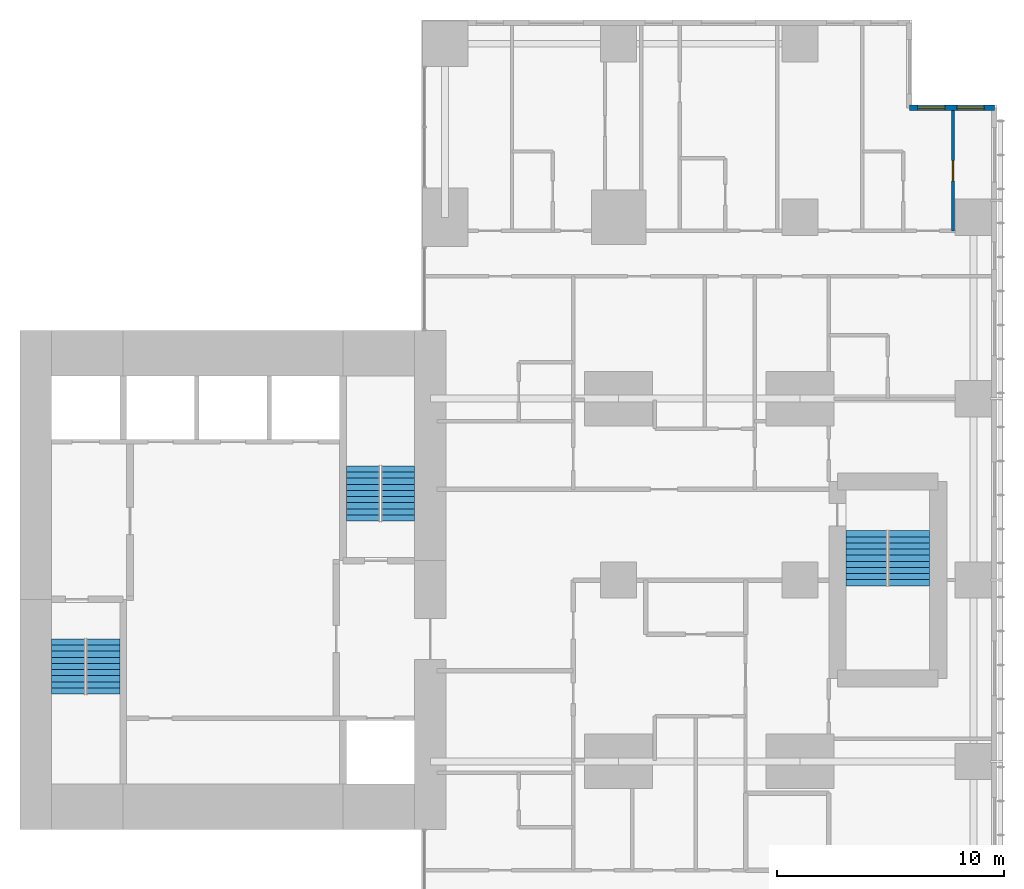
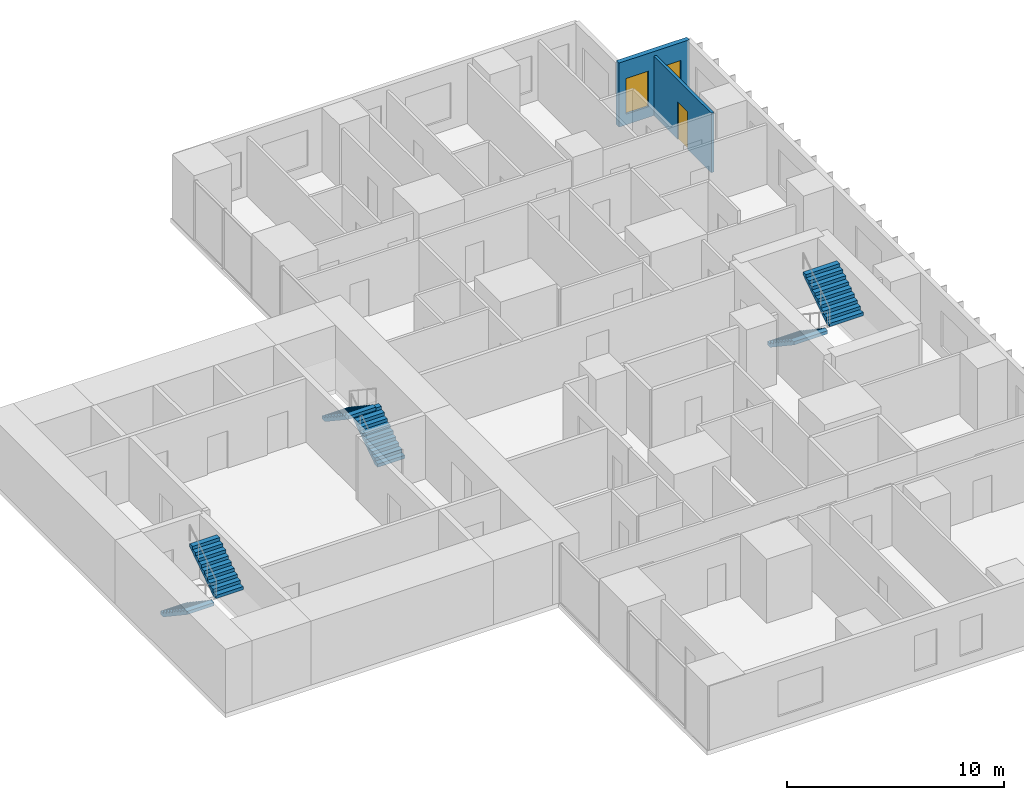
# One storey, part 11 of 12: 6 stair flights, 2 walls, 2 windows, 1 door, 3 openings, 3 elements without a shape of their own.
"""IFC4 building model written with IfcOpenShell, lengths in metres."""

from ifc_helpers import new_model, si_unit, direction, frame, frame_2d, origin, place, context, subcontext, project, spatial, polyline, rectangle, outline, extrude, material, layer, layer_set, type_object, element, fill, aggregate, save


model = new_model("IFC4")

# Units and contexts
model_context = context("Model", 3, precision=1e-05, world=origin(), true_north=direction((0.0, 1.0)))
body_context = subcontext(model_context, "Body", "Model", "MODEL_VIEW")
ifc_project = project(units=[si_unit("LENGTHUNIT", "METRE"), si_unit("AREAUNIT", "SQUARE_METRE"), si_unit("VOLUMEUNIT", "CUBIC_METRE"), si_unit("PLANEANGLEUNIT", "RADIAN"), si_unit("MASSUNIT", "GRAM", prefix="KILO")], contexts=[model_context])

# Site, building, storey
site_placement = place(None, origin())
site = spatial("IfcSite", under=ifc_project, at=site_placement, CompositionType="ELEMENT")
building_placement = place(site_placement, origin())
building = spatial("IfcBuilding", under=site, at=building_placement, Name="Cleftline Residences", CompositionType="ELEMENT")
storey_placement = place(building_placement, frame((0.0, 0.0, 255.60009765625)))
storey = spatial("IfcBuildingStorey", under=building, at=storey_placement, Name="L67", CompositionType="ELEMENT", Elevation=255.60009765625)

# Wall, openings, windows
ifc_material_1 = material(Name="Rendered reinforced concrete blockwork", Category="masonry")
ifc_layer_1 = layer(ifc_material_1, 0.25)
ifc_layer_set_1 = layer_set([ifc_layer_1], Name="EXTERNAL WALL 250")
wall_type_1 = type_object("IfcWallType", Name="EXTERNAL WALL 250", PredefinedType="SOLIDWALL", material=ifc_layer_set_1)
wall_1_placement = place(storey_placement, frame((66.574951171875, 44.824951171875, 0.0), z_axis=(0.0, 0.0, 1.0), x_axis=(-1.0, 0.0, 0.0)))
wall_1 = element("IfcWall", 1, at=wall_1_placement, inside=storey, type_object=wall_type_1, Name="External wall", PredefinedType="SOLIDWALL", context=body_context, shape_type="SweptSolid", body=[
    extrude(rectangle(XDim=3.75, YDim=0.25, at=frame_2d((1.875, 0.0))), origin(), (0.0, 0.0, 1.0), 3.599853515625),
])
opening_1_placement = place(wall_1_placement, frame((0.449951171875, 0.0, 0.60009765625)))
opening_1 = element("IfcOpeningElement", 2, at=opening_1_placement, cuts=wall_1, Name="Opening W8", PredefinedType="OPENING", context=body_context, shape_type="SweptSolid", body=[
    extrude(rectangle(XDim=1.199951171875, YDim=2.0, at=frame_2d((0.60009765625, 1.0))), frame((0.0, 0.135009765625, 0.0), z_axis=(0.0, -1.0, 0.0), x_axis=(1.0, 0.0, 0.0)), (0.0, 0.0, 1.0), 0.27001953125),
])
opening_2_placement = place(wall_1_placement, frame((2.1875, 0.0, 0.60009765625)))
opening_2 = element("IfcOpeningElement", 3, at=opening_2_placement, cuts=wall_1, Name="Opening W8", PredefinedType="OPENING", context=body_context, shape_type="SweptSolid", body=[
    extrude(rectangle(XDim=1.199951171875, YDim=2.0, at=frame_2d((0.60009765625, 1.0))), frame((0.0, 0.135009765625, 0.0), z_axis=(0.0, -1.0, 0.0), x_axis=(1.0, 0.0, 0.0)), (0.0, 0.0, 1.0), 0.27001953125),
])
ifc_material_2 = material(Name="Aluminium frame, clear double glazing", Category="aluminium")
window_type = type_object("IfcWindowType", Name="WINDOW 1200X2000", PartitioningType="DOUBLE_PANEL_VERTICAL", PredefinedType="WINDOW", material=ifc_material_2)
window_1_placement = place(opening_1_placement, origin())
window_1 = element("IfcWindow", 4, at=window_1_placement, inside=storey, type_object=window_type, Name="Window", OverallHeight=2.0, OverallWidth=1.199951171875, PartitioningType="SINGLE_PANEL", PredefinedType="WINDOW", context=body_context, shape_type="SweptSolid", body=[
    extrude(rectangle(XDim=1.199951171875, YDim=2.0, at=frame_2d((0.60009765625, 1.0))), frame((0.0, 0.030029296875, 0.0), z_axis=(0.0, -1.0, 0.0), x_axis=(1.0, 0.0, 0.0)), (0.0, 0.0, 1.0), 0.06005859375),
])
fill(opening_1, window_1)
window_2_placement = place(opening_2_placement, origin())
window_2 = element("IfcWindow", 5, at=window_2_placement, inside=storey, type_object=window_type, Name="Window", OverallHeight=2.0, OverallWidth=1.199951171875, PartitioningType="SINGLE_PANEL", PredefinedType="WINDOW", context=body_context, shape_type="SweptSolid", body=[
    extrude(rectangle(XDim=1.199951171875, YDim=2.0, at=frame_2d((0.60009765625, 1.0))), frame((0.0, 0.030029296875, 0.0), z_axis=(0.0, -1.0, 0.0), x_axis=(1.0, 0.0, 0.0)), (0.0, 0.0, 1.0), 0.06005859375),
])
fill(opening_2, window_2)

# Wall, opening, door
ifc_material_3 = material(Name="Gypsum board on steel studs", Category="steel")
ifc_layer_2 = layer(ifc_material_3, 0.14990234375)
ifc_layer_set_2 = layer_set([ifc_layer_2], Name="PARTITION 150")
wall_type_2 = type_object("IfcWallType", Name="PARTITION 150", PredefinedType="PARTITIONING", material=ifc_layer_set_2)
wall_2_placement = place(storey_placement, frame((64.75, 39.39990234375, 0.0), z_axis=(0.0, 0.0, 1.0), x_axis=(0.0, 1.0, 0.0)))
wall_2 = element("IfcWall", 6, at=wall_2_placement, inside=storey, type_object=wall_type_2, Name="Partition", PredefinedType="PARTITIONING", context=body_context, shape_type="SweptSolid", body=[
    extrude(rectangle(XDim=5.300048828125, YDim=0.14990234375, at=frame_2d((2.64990234375, 0.0))), origin(), (0.0, 0.0, 1.0), 3.349853515625),
])
opening_3_placement = place(wall_2_placement, frame((2.199951171875, 0.0, 0.0)))
opening_3 = element("IfcOpeningElement", 7, at=opening_3_placement, cuts=wall_2, Name="Opening D1", PredefinedType="OPENING", context=body_context, shape_type="SweptSolid", body=[
    extrude(rectangle(XDim=0.89990234375, YDim=2.10009765625, at=frame_2d((0.449951171875, 1.050048828125))), frame((0.0, 0.0849609375, 0.0), z_axis=(0.0, -1.0, 0.0), x_axis=(1.0, 0.0, 0.0)), (0.0, 0.0, 1.0), 0.169921875),
])
ifc_material_4 = material(Name="Timber veneer on solid core", Category="wood")
door_type = type_object("IfcDoorType", Name="DOOR 900X2100", OperationType="SINGLE_SWING_LEFT", PredefinedType="DOOR", material=ifc_material_4)
door_placement = place(opening_3_placement, origin())
door = element("IfcDoor", 8, at=door_placement, inside=storey, type_object=door_type, Name="Door to walk-in wardrobe", OperationType="SINGLE_SWING_LEFT", OverallHeight=2.10009765625, OverallWidth=0.89990234375, PredefinedType="DOOR", context=body_context, shape_type="SweptSolid", body=[
    extrude(rectangle(XDim=0.89990234375, YDim=2.10009765625, at=frame_2d((0.449951171875, 1.050048828125))), frame((0.0, 0.02490234375, 0.0), z_axis=(0.0, -1.0, 0.0), x_axis=(1.0, 0.0, 0.0)), (0.0, 0.0, 1.0), 0.050048828125),
])
fill(opening_3, door)

# Stair, stair flights
ifc_material_5 = material(Name="Concrete B45, stone treads", Category="masonry")
stair_type_1 = type_object("IfcStairType", Name="STAIR A 1450 WIDE 180 RISER", PredefinedType="HALF_TURN_STAIR", material=ifc_material_5)
stair_1_placement = place(storey_placement, origin())
stair_1 = element("IfcStair", 9, at=stair_1_placement, inside=storey, type_object=stair_type_1, Name="Stair A L67", PredefinedType="HALF_TURN_STAIR")
ifc_material_6 = material(Name="Concrete B45", Category="concrete")
stair_flight_type_1 = type_object("IfcStairFlightType", Name="STAIR A FLIGHT 1450X180", PredefinedType="STRAIGHT", material=ifc_material_6)
stair_flight_1_placement = place(storey_placement, frame((25.72509765625, 21.39990234375, 0.0), z_axis=(0.0, 0.0, 1.0), x_axis=(0.0, -1.0, 0.0)))
stair_flight_1 = element("IfcStairFlight", 10, at=stair_flight_1_placement, type_object=stair_flight_type_1, Name="ST-A flight 1", NumberOfRisers=10, NumberOfTreads=9, PredefinedType="STRAIGHT", RiserHeight=0.18, TreadLength=0.27, context=body_context, shape_type="SweptSolid", body=[
    extrude(outline(polyline([(0.0, 0.0), (0.0, 0.013916015625), (0.0, 0.027587890625), (0.0, 0.04150390625), (0.0, 0.055419921875), (0.0, 0.0693359375), (0.0, 0.0830078125), (0.0, 0.096923828125), (0.0, 0.11083984375), (0.0, 0.12451171875), (0.0, 0.138427734375), (0.0, 0.15234375), (0.0, 0.166259765625), (0.0, 0.179931640625), (0.27001953125, 0.179931640625), (0.27001953125, 0.360107421875), (0.5400390625, 0.360107421875), (0.5400390625, 0.5400390625), (0.81005859375, 0.5400390625), (0.81005859375, 0.719970703125), (1.080078125, 0.719970703125), (1.080078125, 0.89990234375), (1.35009765625, 0.89990234375), (1.35009765625, 1.080078125), (1.6201171875, 1.080078125), (1.6201171875, 1.260009765625), (1.889892578125, 1.260009765625), (1.889892578125, 1.43994140625), (2.159912109375, 1.43994140625), (2.159912109375, 1.6201171875), (2.429931640625, 1.6201171875), (2.429931640625, 1.800048828125), (2.429931640625, 1.772216796875), (2.429931640625, 1.74462890625), (2.429931640625, 1.716796875), (2.429931640625, 1.689208984375), (2.429931640625, 1.661376953125), (2.429931640625, 1.6337890625), (2.429931640625, 1.60595703125), (2.429931640625, 1.578369140625), (2.429931640625, 1.550537109375), (2.429931640625, 1.52294921875), (2.429931640625, 1.495361328125), (2.429931640625, 1.467529296875), (2.429931640625, 1.43994140625), (0.270263671875, 0.0), (0.0, 0.0)])), frame((0.0, 0.72509765625, 0.0), z_axis=(0.0, -1.0, 0.0), x_axis=(1.0, 0.0, 0.0)), (0.0, 0.0, 1.0), 1.449951171875),
])
stair_flight_2_placement = place(storey_placement, frame((27.27490234375, 18.969970703125, 1.7998046875), z_axis=(0.0, 0.0, 1.0), x_axis=(0.0, 1.0, 0.0)))
stair_flight_2 = element("IfcStairFlight", 11, at=stair_flight_2_placement, type_object=stair_flight_type_1, Name="ST-A flight 2", NumberOfRisers=10, NumberOfTreads=9, PredefinedType="STRAIGHT", RiserHeight=0.18, TreadLength=0.27, context=body_context, shape_type="SweptSolid", body=[
    extrude(outline(polyline([(0.0, 0.0), (0.0, 0.013916015625), (0.0, 0.027587890625), (0.0, 0.04150390625), (0.0, 0.055419921875), (0.0, 0.0693359375), (0.0, 0.0830078125), (0.0, 0.096923828125), (0.0, 0.11083984375), (0.0, 0.12451171875), (0.0, 0.138427734375), (0.0, 0.15234375), (0.0, 0.166259765625), (0.0, 0.179931640625), (0.27001953125, 0.179931640625), (0.27001953125, 0.360107421875), (0.5400390625, 0.360107421875), (0.5400390625, 0.5400390625), (0.81005859375, 0.5400390625), (0.81005859375, 0.719970703125), (1.080078125, 0.719970703125), (1.080078125, 0.89990234375), (1.35009765625, 0.89990234375), (1.35009765625, 1.080078125), (1.6201171875, 1.080078125), (1.6201171875, 1.260009765625), (1.889892578125, 1.260009765625), (1.889892578125, 1.43994140625), (2.159912109375, 1.43994140625), (2.159912109375, 1.6201171875), (2.429931640625, 1.6201171875), (2.429931640625, 1.800048828125), (2.429931640625, 1.772216796875), (2.429931640625, 1.74462890625), (2.429931640625, 1.716796875), (2.429931640625, 1.689208984375), (2.429931640625, 1.661376953125), (2.429931640625, 1.6337890625), (2.429931640625, 1.60595703125), (2.429931640625, 1.578369140625), (2.429931640625, 1.550537109375), (2.429931640625, 1.52294921875), (2.429931640625, 1.495361328125), (2.429931640625, 1.467529296875), (2.429931640625, 1.43994140625), (0.270263671875, 0.0), (0.0, 0.0)])), frame((0.0, 0.72509765625, 0.0), z_axis=(0.0, -1.0, 0.0), x_axis=(1.0, 0.0, 0.0)), (0.0, 0.0, 1.0), 1.449951171875),
])
aggregate(stair_1, [stair_flight_1, stair_flight_2])

ifc_material_7 = material(Name="Concrete B45, stone treads", Category="masonry")
stair_type_2 = type_object("IfcStairType", Name="STAIR B 1450 WIDE 180 RISER", PredefinedType="HALF_TURN_STAIR", material=ifc_material_7)
stair_2_placement = place(storey_placement, origin())
stair_2 = element("IfcStair", 12, at=stair_2_placement, inside=storey, type_object=stair_type_2, Name="Stair B L67", PredefinedType="HALF_TURN_STAIR")
ifc_material_8 = material(Name="Concrete B45", Category="concrete")
stair_flight_type_2 = type_object("IfcStairFlightType", Name="STAIR B FLIGHT 1450X180", PredefinedType="STRAIGHT", material=ifc_material_8)
stair_flight_3_placement = place(storey_placement, frame((40.27490234375, 26.60009765625, 0.0), z_axis=(0.0, 0.0, 1.0), x_axis=(0.0, 1.0, 0.0)))
stair_flight_3 = element("IfcStairFlight", 13, at=stair_flight_3_placement, type_object=stair_flight_type_2, Name="ST-B flight 1", NumberOfRisers=10, NumberOfTreads=9, PredefinedType="STRAIGHT", RiserHeight=0.18, TreadLength=0.27, context=body_context, shape_type="SweptSolid", body=[
    extrude(outline(polyline([(0.0, 0.0), (0.0, 0.013916015625), (0.0, 0.027587890625), (0.0, 0.04150390625), (0.0, 0.055419921875), (0.0, 0.0693359375), (0.0, 0.0830078125), (0.0, 0.096923828125), (0.0, 0.11083984375), (0.0, 0.12451171875), (0.0, 0.138427734375), (0.0, 0.15234375), (0.0, 0.166259765625), (0.0, 0.179931640625), (0.27001953125, 0.179931640625), (0.27001953125, 0.360107421875), (0.5400390625, 0.360107421875), (0.5400390625, 0.5400390625), (0.81005859375, 0.5400390625), (0.81005859375, 0.719970703125), (1.080078125, 0.719970703125), (1.080078125, 0.89990234375), (1.35009765625, 0.89990234375), (1.35009765625, 1.080078125), (1.6201171875, 1.080078125), (1.6201171875, 1.260009765625), (1.889892578125, 1.260009765625), (1.889892578125, 1.43994140625), (2.159912109375, 1.43994140625), (2.159912109375, 1.6201171875), (2.429931640625, 1.6201171875), (2.429931640625, 1.800048828125), (2.429931640625, 1.772216796875), (2.429931640625, 1.74462890625), (2.429931640625, 1.716796875), (2.429931640625, 1.689208984375), (2.429931640625, 1.661376953125), (2.429931640625, 1.6337890625), (2.429931640625, 1.60595703125), (2.429931640625, 1.578369140625), (2.429931640625, 1.550537109375), (2.429931640625, 1.52294921875), (2.429931640625, 1.495361328125), (2.429931640625, 1.467529296875), (2.429931640625, 1.43994140625), (0.270263671875, 0.0), (0.0, 0.0)])), frame((0.0, 0.72509765625, 0.0), z_axis=(0.0, -1.0, 0.0), x_axis=(1.0, 0.0, 0.0)), (0.0, 0.0, 1.0), 1.449951171875),
])
stair_flight_4_placement = place(storey_placement, frame((38.72509765625, 29.030029296875, 1.7998046875), z_axis=(0.0, 0.0, 1.0), x_axis=(0.0, -1.0, 0.0)))
stair_flight_4 = element("IfcStairFlight", 14, at=stair_flight_4_placement, type_object=stair_flight_type_2, Name="ST-B flight 2", NumberOfRisers=10, NumberOfTreads=9, PredefinedType="STRAIGHT", RiserHeight=0.18, TreadLength=0.27, context=body_context, shape_type="SweptSolid", body=[
    extrude(outline(polyline([(0.0, 0.0), (0.0, 0.013916015625), (0.0, 0.027587890625), (0.0, 0.04150390625), (0.0, 0.055419921875), (0.0, 0.0693359375), (0.0, 0.0830078125), (0.0, 0.096923828125), (0.0, 0.11083984375), (0.0, 0.12451171875), (0.0, 0.138427734375), (0.0, 0.15234375), (0.0, 0.166259765625), (0.0, 0.179931640625), (0.27001953125, 0.179931640625), (0.27001953125, 0.360107421875), (0.5400390625, 0.360107421875), (0.5400390625, 0.5400390625), (0.81005859375, 0.5400390625), (0.81005859375, 0.719970703125), (1.080078125, 0.719970703125), (1.080078125, 0.89990234375), (1.35009765625, 0.89990234375), (1.35009765625, 1.080078125), (1.6201171875, 1.080078125), (1.6201171875, 1.260009765625), (1.889892578125, 1.260009765625), (1.889892578125, 1.43994140625), (2.159912109375, 1.43994140625), (2.159912109375, 1.6201171875), (2.429931640625, 1.6201171875), (2.429931640625, 1.800048828125), (2.429931640625, 1.772216796875), (2.429931640625, 1.74462890625), (2.429931640625, 1.716796875), (2.429931640625, 1.689208984375), (2.429931640625, 1.661376953125), (2.429931640625, 1.6337890625), (2.429931640625, 1.60595703125), (2.429931640625, 1.578369140625), (2.429931640625, 1.550537109375), (2.429931640625, 1.52294921875), (2.429931640625, 1.495361328125), (2.429931640625, 1.467529296875), (2.429931640625, 1.43994140625), (0.270263671875, 0.0), (0.0, 0.0)])), frame((0.0, 0.72509765625, 0.0), z_axis=(0.0, -1.0, 0.0), x_axis=(1.0, 0.0, 0.0)), (0.0, 0.0, 1.0), 1.449951171875),
])
aggregate(stair_2, [stair_flight_3, stair_flight_4])

ifc_material_9 = material(Name="Concrete B45, stone treads", Category="masonry")
stair_type_3 = type_object("IfcStairType", Name="STAIR E 1800 WIDE 180 RISER", PredefinedType="HALF_TURN_STAIR", material=ifc_material_9)
stair_3_placement = place(storey_placement, origin())
stair_3 = element("IfcStair", 15, at=stair_3_placement, inside=storey, type_object=stair_type_3, Name="Stair E L67", PredefinedType="HALF_TURN_STAIR")
ifc_material_10 = material(Name="Concrete B45", Category="concrete")
stair_flight_type_3 = type_object("IfcStairFlightType", Name="STAIR E FLIGHT 1800X180", PredefinedType="STRAIGHT", material=ifc_material_10)
stair_flight_5_placement = place(storey_placement, frame((60.925048828125, 26.175048828125, 0.0), z_axis=(0.0, 0.0, 1.0), x_axis=(0.0, -1.0, 0.0)))
stair_flight_5 = element("IfcStairFlight", 16, at=stair_flight_5_placement, type_object=stair_flight_type_3, Name="ST-E flight 1", NumberOfRisers=10, NumberOfTreads=9, PredefinedType="STRAIGHT", RiserHeight=0.18, TreadLength=0.27, context=body_context, shape_type="SweptSolid", body=[
    extrude(outline(polyline([(0.0, 0.0), (0.0, 0.013916015625), (0.0, 0.027587890625), (0.0, 0.04150390625), (0.0, 0.055419921875), (0.0, 0.0693359375), (0.0, 0.0830078125), (0.0, 0.096923828125), (0.0, 0.11083984375), (0.0, 0.12451171875), (0.0, 0.138427734375), (0.0, 0.15234375), (0.0, 0.166259765625), (0.0, 0.179931640625), (0.27001953125, 0.179931640625), (0.27001953125, 0.360107421875), (0.5400390625, 0.360107421875), (0.5400390625, 0.5400390625), (0.81005859375, 0.5400390625), (0.81005859375, 0.719970703125), (1.080078125, 0.719970703125), (1.080078125, 0.89990234375), (1.35009765625, 0.89990234375), (1.35009765625, 1.080078125), (1.6201171875, 1.080078125), (1.6201171875, 1.260009765625), (1.889892578125, 1.260009765625), (1.889892578125, 1.43994140625), (2.159912109375, 1.43994140625), (2.159912109375, 1.6201171875), (2.429931640625, 1.6201171875), (2.429931640625, 1.800048828125), (2.429931640625, 1.772216796875), (2.429931640625, 1.74462890625), (2.429931640625, 1.716796875), (2.429931640625, 1.689208984375), (2.429931640625, 1.661376953125), (2.429931640625, 1.6337890625), (2.429931640625, 1.60595703125), (2.429931640625, 1.578369140625), (2.429931640625, 1.550537109375), (2.429931640625, 1.52294921875), (2.429931640625, 1.495361328125), (2.429931640625, 1.467529296875), (2.429931640625, 1.43994140625), (0.270263671875, 0.0), (0.0, 0.0)])), frame((0.0, 0.89990234375, 0.0), z_axis=(0.0, -1.0, 0.0), x_axis=(1.0, 0.0, 0.0)), (0.0, 0.0, 1.0), 1.800048828125),
])
stair_flight_6_placement = place(storey_placement, frame((62.824951171875, 23.7451171875, 1.7998046875), z_axis=(0.0, 0.0, 1.0), x_axis=(0.0, 1.0, 0.0)))
stair_flight_6 = element("IfcStairFlight", 17, at=stair_flight_6_placement, type_object=stair_flight_type_3, Name="ST-E flight 2", NumberOfRisers=10, NumberOfTreads=9, PredefinedType="STRAIGHT", RiserHeight=0.18, TreadLength=0.27, context=body_context, shape_type="SweptSolid", body=[
    extrude(outline(polyline([(0.0, 0.0), (0.0, 0.013916015625), (0.0, 0.027587890625), (0.0, 0.04150390625), (0.0, 0.055419921875), (0.0, 0.0693359375), (0.0, 0.0830078125), (0.0, 0.096923828125), (0.0, 0.11083984375), (0.0, 0.12451171875), (0.0, 0.138427734375), (0.0, 0.15234375), (0.0, 0.166259765625), (0.0, 0.179931640625), (0.27001953125, 0.179931640625), (0.27001953125, 0.360107421875), (0.5400390625, 0.360107421875), (0.5400390625, 0.5400390625), (0.81005859375, 0.5400390625), (0.81005859375, 0.719970703125), (1.080078125, 0.719970703125), (1.080078125, 0.89990234375), (1.35009765625, 0.89990234375), (1.35009765625, 1.080078125), (1.6201171875, 1.080078125), (1.6201171875, 1.260009765625), (1.889892578125, 1.260009765625), (1.889892578125, 1.43994140625), (2.159912109375, 1.43994140625), (2.159912109375, 1.6201171875), (2.429931640625, 1.6201171875), (2.429931640625, 1.800048828125), (2.429931640625, 1.772216796875), (2.429931640625, 1.74462890625), (2.429931640625, 1.716796875), (2.429931640625, 1.689208984375), (2.429931640625, 1.661376953125), (2.429931640625, 1.6337890625), (2.429931640625, 1.60595703125), (2.429931640625, 1.578369140625), (2.429931640625, 1.550537109375), (2.429931640625, 1.52294921875), (2.429931640625, 1.495361328125), (2.429931640625, 1.467529296875), (2.429931640625, 1.43994140625), (0.270263671875, 0.0), (0.0, 0.0)])), frame((0.0, 0.89990234375, 0.0), z_axis=(0.0, -1.0, 0.0), x_axis=(1.0, 0.0, 0.0)), (0.0, 0.0, 1.0), 1.800048828125),
])
aggregate(stair_3, [stair_flight_5, stair_flight_6])

save(model, "model.ifc")
